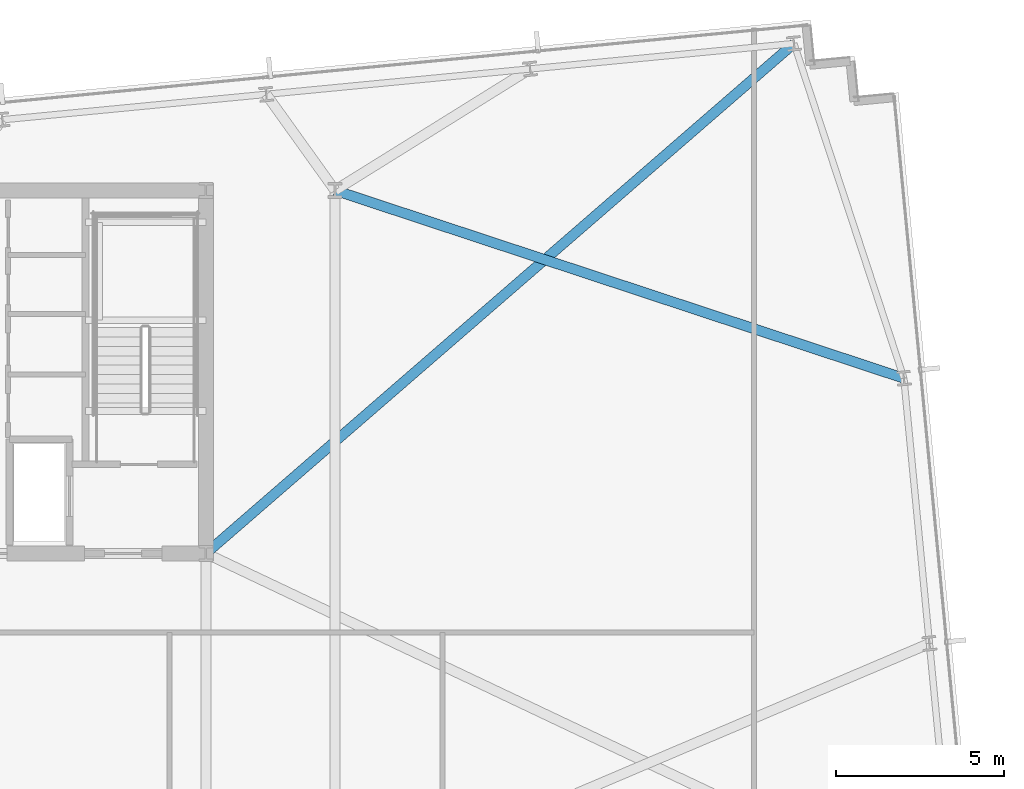
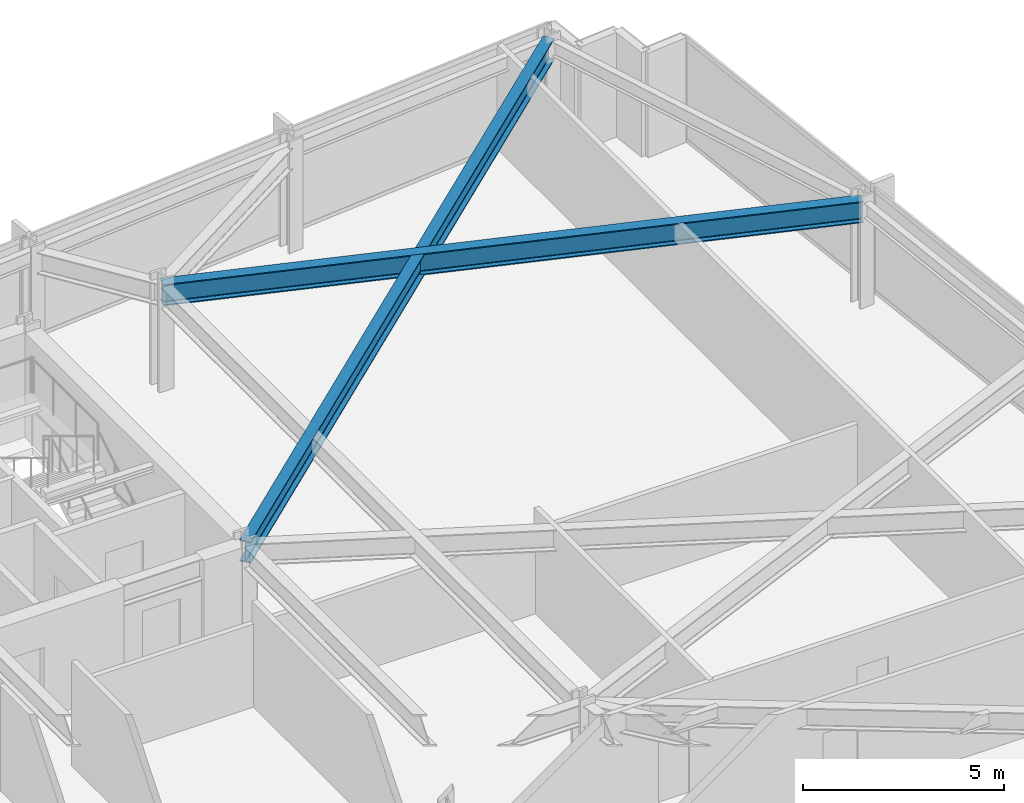
# One storey, part 22 of 32: 2 beams.
"""IFC4 building model written with IfcOpenShell, lengths in metres."""

import ifcopenshell
import ifcopenshell.guid

model = None  # the IFC model being written
_history = None  # IfcOwnerHistory: only IFC2X3 demands one
_inside = {}  # id of a spatial element -> (the spatial element, [elements in it])
_under = {}  # id of a project, library or spatial element -> (it, [spatial elements below it])
_declared = {}  # id of a project -> (the project, [libraries it declares])
_typed = {}  # id of a type object -> (the type object, [elements of that type])
_made_of = {}  # id of a material, layer set ... -> (it, [elements and type objects made of it])


def new_model(schema):
    """Start an empty IFC model of exactly this schema.

    Asked for "IFC4X3", IfcOpenShell would pick the latest addendum, in which some entities
    have other attributes; the version numbers below select the first issue.
    IFC2X3 requires an IfcOwnerHistory on every rooted entity: one is made here for all.
    """
    global model, _history
    if schema == "IFC4X3":
        model = ifcopenshell.file(schema_version=(4, 3, 0, 0))
    else:
        model = ifcopenshell.file(schema=schema)
    _inside.clear()
    _under.clear()
    _declared.clear()
    _typed.clear()
    _made_of.clear()
    _history = None
    if model.schema == "IFC2X3":
        org = make("IfcOrganization", Name="unknown")
        user = make(
            "IfcPersonAndOrganization",
            ThePerson=make("IfcPerson", FamilyName="unknown"),
            TheOrganization=org,
        )
        app = make(
            "IfcApplication",
            ApplicationDeveloper=org,
            Version="unknown",
            ApplicationFullName="unknown",
            ApplicationIdentifier="unknown",
        )
        _history = make(
            "IfcOwnerHistory",
            OwningUser=user,
            OwningApplication=app,
            ChangeAction="ADDED",
            CreationDate=0,
        )
    return model


def make(cls, **values):
    """One entity of the class cls with the attributes given. An attribute that is None is left unset."""
    return model.create_entity(
        cls, **{name: value for name, value in values.items() if value is not None}
    )


def rooted(cls, **values):
    """An entity with a GlobalId (a new one), such as an element, a storey or a relation."""
    return make(cls, GlobalId=ifcopenshell.guid.new(), OwnerHistory=_history, **values)


def si_unit(unit_type, name, prefix=None):
    """IfcSIUnit, for example si_unit("LENGTHUNIT", "METRE", prefix="MILLI")."""
    return make("IfcSIUnit", UnitType=unit_type, Prefix=prefix, Name=name)


def assignment(units):
    """IfcUnitAssignment: the units of a project."""
    return None if units is None else make("IfcUnitAssignment", Units=units)


def point(xyz):
    """IfcCartesianPoint."""
    return None if xyz is None else make("IfcCartesianPoint", Coordinates=xyz)


def direction(xyz):
    """IfcDirection."""
    return None if xyz is None else make("IfcDirection", DirectionRatios=xyz)


def frame(location, z_axis=None, x_axis=None):
    """IfcAxis2Placement3D, a coordinate frame: its origin and axes. An axis left out is left unset."""
    return make(
        "IfcAxis2Placement3D",
        Location=point(location),
        Axis=direction(z_axis),
        RefDirection=direction(x_axis),
    )


def frame_2d(location, x_axis=None):
    """IfcAxis2Placement2D, a coordinate frame in the plane: its origin and x axis."""
    return make(
        "IfcAxis2Placement2D", Location=point(location), RefDirection=direction(x_axis)
    )


def origin():
    """The frame at (0, 0, 0) with its axes left unset."""
    return frame((0.0, 0.0, 0.0))


def origin_2d():
    """The frame at (0, 0) in the plane with its x axis left unset."""
    return frame_2d((0.0, 0.0))


def place(relative_to, where):
    """IfcLocalPlacement: puts the frame where relative to a parent placement (None: the world)."""
    return make(
        "IfcLocalPlacement", PlacementRelTo=relative_to, RelativePlacement=where
    )


def context(
    kind, dimensions, precision=None, world=None, true_north=None, identifier=None
):
    """IfcGeometricRepresentationContext, for example the 3D "Model" context."""
    return make(
        "IfcGeometricRepresentationContext",
        ContextIdentifier=identifier,
        ContextType=kind,
        CoordinateSpaceDimension=dimensions,
        Precision=precision,
        WorldCoordinateSystem=world,
        TrueNorth=true_north,
    )


def subcontext(parent, identifier, kind, view, scale=None):
    """IfcGeometricRepresentationSubContext, for example "Body" below "Model"."""
    return make(
        "IfcGeometricRepresentationSubContext",
        ContextIdentifier=identifier,
        ContextType=kind,
        ParentContext=parent,
        TargetScale=scale,
        TargetView=view,
    )


def project(units=None, contexts=None):
    """IfcProject with its units and contexts."""
    return rooted(
        "IfcProject",
        Name="project",
        RepresentationContexts=contexts,
        UnitsInContext=assignment(units),
    )


def spatial(cls, under=None, at=None, **own):
    """A site, building, storey or space (cls), placed at a placement, below another one or the project."""
    s = rooted(cls, ObjectPlacement=at, **own)
    if under is not None:
        _under.setdefault(under.id(), (under, []))[1].append(s)
    return s


def profile(cls, at=None, kind="AREA", **sizes):
    """A parametric profile (cls). Its sizes go by their IFC names, for example OverallWidth=200.0."""
    return make(cls, ProfileType=kind, Position=at, **sizes)


def i_section(**sizes):
    """IfcIShapeProfileDef."""
    return profile("IfcIShapeProfileDef", **sizes)


def extrude(swept, where, along, depth):
    """IfcExtrudedAreaSolid: the profile swept, set in the frame where, extruded along a direction by depth."""
    return make(
        "IfcExtrudedAreaSolid",
        SweptArea=swept,
        Position=where,
        ExtrudedDirection=direction(along),
        Depth=depth,
    )


def shape(context_of_items, identifier, shape_type, items):
    """IfcShapeRepresentation: the items that make up one representation, for example the "Body"."""
    return make(
        "IfcShapeRepresentation",
        ContextOfItems=context_of_items,
        RepresentationIdentifier=identifier,
        RepresentationType=shape_type,
        Items=items,
    )


def material(Name=None, Category=None):
    """IfcMaterial."""
    return make("IfcMaterial", Name=Name, Category=Category)


def material_profile(
    of_material, cross_section, Name=None, Category=None, Priority=None
):
    """IfcMaterialProfile: a cross section and its material."""
    return make(
        "IfcMaterialProfile",
        Name=Name,
        Material=of_material,
        Profile=cross_section,
        Priority=Priority,
        Category=Category,
    )


def profile_set(profiles, Name=None, composite=None):
    """IfcMaterialProfileSet."""
    return make(
        "IfcMaterialProfileSet",
        Name=Name,
        MaterialProfiles=profiles,
        CompositeProfile=composite,
    )


def made_of(thing, what):
    """Note that an element or type object is made of a material, layer set ...; save() writes the relation."""
    if what is not None:
        _made_of.setdefault(what.id(), (what, []))[1].append(thing)
    return thing


def type_object(cls, material=None, **own):
    """A type object (cls), such as IfcWallType, which elements share."""
    return made_of(rooted(cls, **own), material)


def element(
    cls,
    number,
    at=None,
    inside=None,
    cuts=None,
    type_object=None,
    material=None,
    context=None,
    identifier="Body",
    shape_type=None,
    held_by="IfcProductDefinitionShape",
    body=None,
    shapes=None,
    **own,
):
    """One element of the class cls, such as IfcWall. Its Tag is "e" and its number.

    at: its placement. inside: the storey or other place that contains it. cuts: it is an
    opening in that element (IfcRelVoidsElement). A single representation is given by context,
    identifier, shape_type and body (its items); several are given by shapes. held_by: the class
    of the entity that holds the representations. save() writes the other relations.
    """
    e = rooted(cls, Tag="e%d" % number, ObjectPlacement=at, **own)
    if body is not None:
        shapes = [shape(context, identifier, shape_type, body)]
    if shapes is not None:
        e.Representation = make(held_by, Representations=shapes)
    if inside is not None:
        _inside.setdefault(inside.id(), (inside, []))[1].append(e)
    if cuts is not None:
        rooted(
            "IfcRelVoidsElement", RelatingBuildingElement=cuts, RelatedOpeningElement=e
        )
    if type_object is not None:
        _typed.setdefault(type_object.id(), (type_object, []))[1].append(e)
    return made_of(e, material)


def aggregate(whole, parts):
    """IfcRelAggregates: a whole, such as a stair, and the parts it consists of."""
    return rooted("IfcRelAggregates", RelatingObject=whole, RelatedObjects=parts)


def save(model, path):
    """Write the relations noted so far, then the file.

    IfcRelAggregates (storeys below a building ...), IfcRelContainedInSpatialStructure (elements
    in a storey), IfcRelDefinesByType, IfcRelAssociatesMaterial and IfcRelDeclares: one each for
    every whole, place, type object, material and project.
    """
    for whole, parts in _under.values():
        aggregate(whole, parts)
    for where, things in _inside.values():
        rooted(
            "IfcRelContainedInSpatialStructure",
            RelatedElements=things,
            RelatingStructure=where,
        )
    for kind, things in _typed.values():
        rooted("IfcRelDefinesByType", RelatedObjects=things, RelatingType=kind)
    for what, things in _made_of.values():
        rooted("IfcRelAssociatesMaterial", RelatedObjects=things, RelatingMaterial=what)
    for by, libraries in _declared.values():
        rooted("IfcRelDeclares", RelatingContext=by, RelatedDefinitions=libraries)
    model.write(path)


model = new_model("IFC4")

# Units and contexts
model_context = context("Model", 3, precision=1e-05, world=origin(), true_north=direction((0.0, 1.0)))
body_context = subcontext(model_context, "Body", "Model", "MODEL_VIEW")
ifc_project = project(units=[si_unit("LENGTHUNIT", "METRE"), si_unit("AREAUNIT", "SQUARE_METRE"), si_unit("VOLUMEUNIT", "CUBIC_METRE"), si_unit("PLANEANGLEUNIT", "RADIAN"), si_unit("MASSUNIT", "GRAM", prefix="KILO")], contexts=[model_context])

# Site, building, storey
site_placement = place(None, origin())
site = spatial("IfcSite", under=ifc_project, at=site_placement, CompositionType="ELEMENT")
building_placement = place(site_placement, origin())
building = spatial("IfcBuilding", under=site, at=building_placement, Name="Yelkora Congress Tower", CompositionType="ELEMENT")
storey_placement = place(building_placement, frame((0.0, 0.0, 99.89990234375)))
storey = spatial("IfcBuildingStorey", under=building, at=storey_placement, Name="L26", CompositionType="ELEMENT", Elevation=99.89990234375)

# Beams
ifc_material = material(Name="Steel S355J2", Category="steel")
ifc_material_profile = material_profile(ifc_material, i_section(OverallWidth=0.300048828125, OverallDepth=0.64990234375, WebThickness=0.01611328125, FlangeThickness=0.031005859375, FilletRadius=0.027099609375, at=origin_2d()), Name="HEB 650")
ifc_profile_set = profile_set([ifc_material_profile], Name="Steel S355J2")
beam_type = type_object("IfcBeamType", Name="BM-GIRD-HEB650", PredefinedType="BEAM", material=ifc_profile_set)
beam_1_placement = place(storey_placement, frame((71.252685546875, 50.568115234375, 2.85498046875), z_axis=(-0.755520317406, -0.655125217029, 0.0), x_axis=(0.655125217029, -0.755520317406, 0.0)))
element("IfcBeam", 1, at=beam_1_placement, inside=storey, type_object=beam_type, Name="L26 Primary Frame Girder N08", PredefinedType="BEAM", context=body_context, shape_type="SweptSolid", body=[
    extrude(i_section(OverallWidth=0.300048828125, OverallDepth=0.64990234375, WebThickness=0.01611328125, FlangeThickness=0.031005859375, FilletRadius=0.027099609375, at=origin_2d()), origin(), (0.0, 0.0, 1.0), 23.153076171875),
])
beam_2_placement = place(storey_placement, frame((74.522216796875, 40.610595703125, 2.85498046875), z_axis=(-0.949544183597, 0.313633294465, 0.0), x_axis=(-0.313633294465, -0.949544183597, 0.0)))
element("IfcBeam", 2, at=beam_2_placement, inside=storey, type_object=beam_type, Name="L26 Primary Frame Girder E03", PredefinedType="BEAM", context=body_context, shape_type="SweptSolid", body=[
    extrude(i_section(OverallWidth=0.300048828125, OverallDepth=0.64990234375, WebThickness=0.01611328125, FlangeThickness=0.031005859375, FilletRadius=0.027099609375, at=origin_2d()), origin(), (0.0, 0.0, 1.0), 17.8212890625),
])

save(model, "model.ifc")
